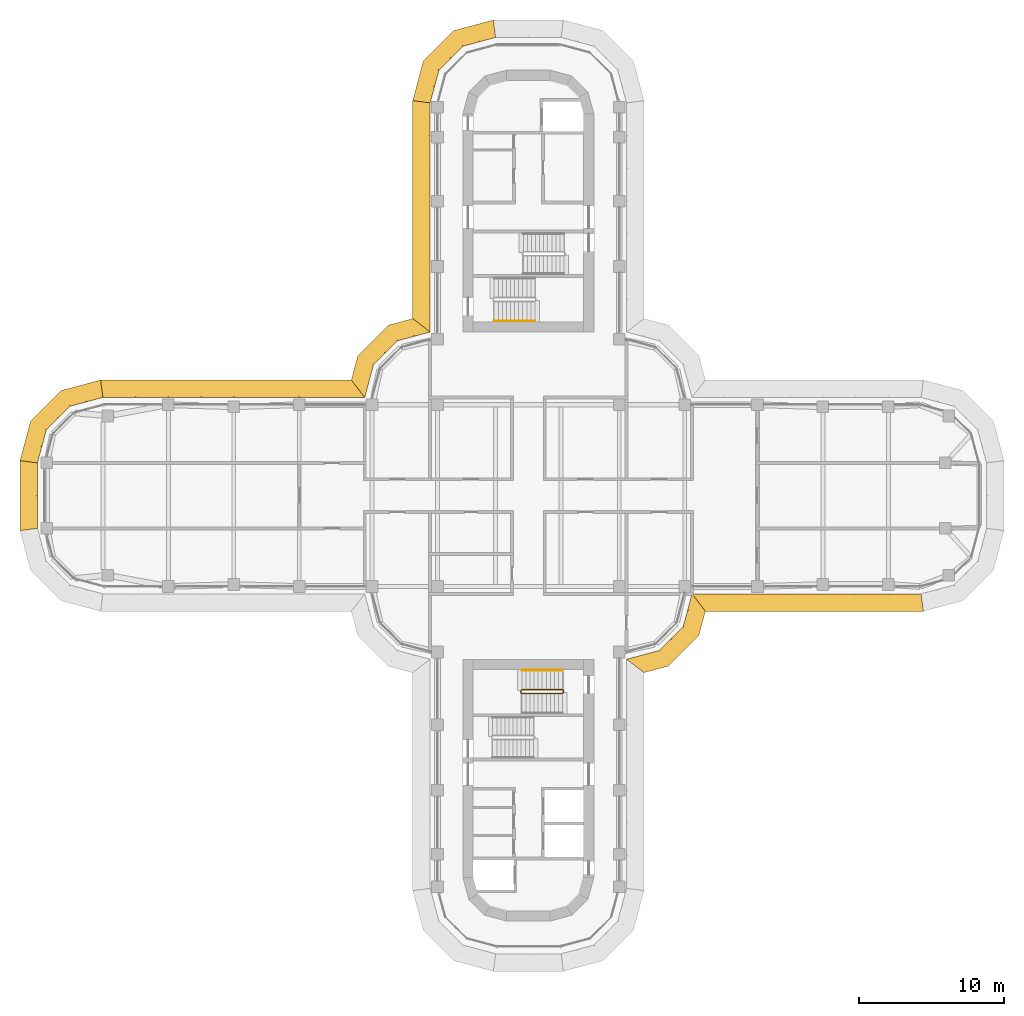
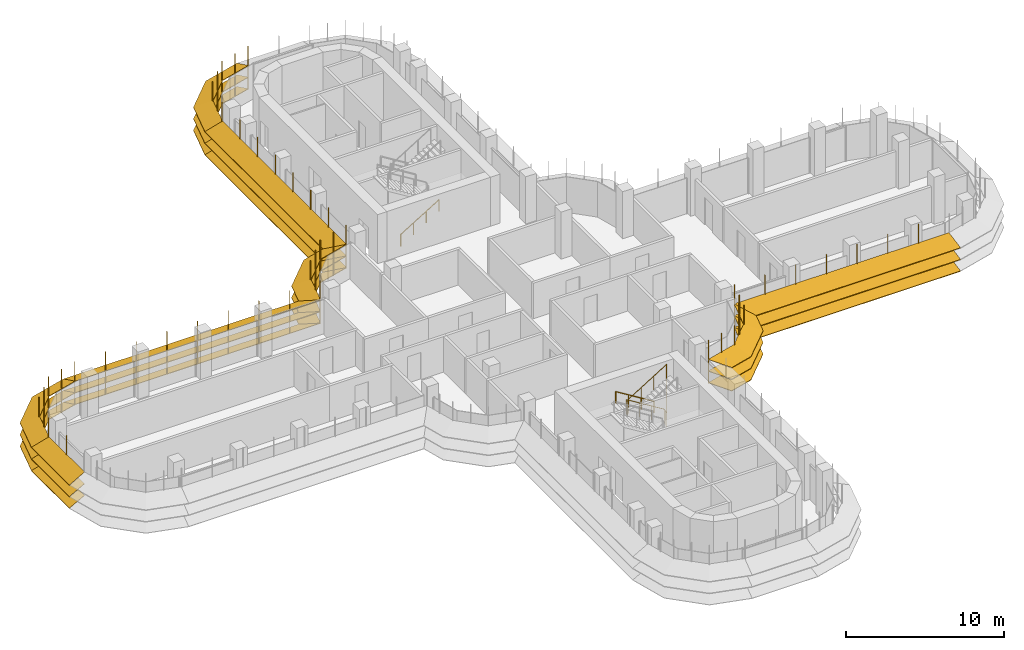
# One storey, part 17 of 19: 8 shading devices, 3 railings.
"""IFC4 building model written with IfcOpenShell, lengths in metres."""

from ifc_helpers import new_model, si_unit, direction, frame, origin, origin_2d, place, context, subcontext, project, spatial, polyline, circle, outline, extrude, faceted_brep, source, transform, mapped, material, type_object, element, save


model = new_model("IFC4")

# Units and contexts
model_context = context("Model", 3, precision=1e-05, world=origin(), true_north=direction((0.0, 1.0)))
body_context = subcontext(model_context, "Body", "Model", "MODEL_VIEW")
ifc_project = project(units=[si_unit("LENGTHUNIT", "METRE"), si_unit("AREAUNIT", "SQUARE_METRE"), si_unit("VOLUMEUNIT", "CUBIC_METRE"), si_unit("PLANEANGLEUNIT", "RADIAN"), si_unit("MASSUNIT", "GRAM", prefix="KILO")], contexts=[model_context])

# Site, building, storey
site_placement = place(None, origin())
site = spatial("IfcSite", under=ifc_project, at=site_placement, CompositionType="ELEMENT")
building_placement = place(site_placement, origin())
building = spatial("IfcBuilding", under=site, at=building_placement, Name="Zarbagh Exchange Tower", CompositionType="ELEMENT")
storey_placement = place(building_placement, frame((0.0, 0.0, 175.199951171875)))
storey = spatial("IfcBuildingStorey", under=building, at=storey_placement, Name="L42", CompositionType="ELEMENT", Elevation=175.199951171875)

# Railings
ifc_material_1 = material(Name="Stainless steel", Category="steel")
railing_type_1 = type_object("IfcRailingType", Name="Stair guard 1100 mm", PredefinedType="GUARDRAIL", material=ifc_material_1)
railing_1_placement = place(storey_placement, frame((-0.5, -13.39990234375, 1.900146484375)))
element("IfcRailing", 1, at=railing_1_placement, inside=storey, type_object=railing_type_1, Name="ST4 stair guard 1", PredefinedType="GUARDRAIL", context=body_context, shape_type="SweptSolid", body=[
    extrude(circle(Radius=0.02392578125, at=origin_2d()), frame((0.0, 0.0, 1.076171875), z_axis=(0.0, -1.0, 0.0), x_axis=(1.0, 0.0, 0.0)), (0.0, 0.0, 1.0), 0.150146484375),
    extrude(circle(Radius=0.02392578125, at=origin_2d()), frame((0.0, -0.150146484375, 1.076171875), z_axis=(0.268277960024, -0.268277960024, 0.925231793839), x_axis=(0.707106781187, 0.707106781187, 0.0)), (0.0, 0.0, 1.0), 0.1865234375),
    extrude(circle(Radius=0.02392578125, at=origin_2d()), frame((0.050048828125, -0.2001953125, 1.24853515625), z_axis=(0.851089632645, 0.0, 0.525020415988), x_axis=(0.0, 1.0, 0.0)), (0.0, 0.0, 1.0), 3.2900390625),
    extrude(circle(Radius=0.02392578125, at=origin_2d()), frame((2.85009765625, -0.2001953125, 2.97607421875), z_axis=(0.013104066473, 0.013168302093, -0.99982742474), x_axis=(-0.708833529934, 0.705375805398, 0.0)), (0.0, 0.0, 1.0), 3.80078125),
    extrude(circle(Radius=0.02392578125, at=origin_2d()), frame((2.89990234375, -0.150146484375, -0.82421875), z_axis=(0.0, 1.0, 0.0), x_axis=(-1.0, 0.0, 0.0)), (0.0, 0.0, 1.0), 0.150146484375),
    extrude(circle(Radius=0.02392578125, at=origin_2d()), frame((2.89990234375, 0.0, -0.82421875), z_axis=(-0.266832911964, 0.266832911964, 0.926067165051), x_axis=(-0.707106781187, -0.707106781187, 0.0)), (0.0, 0.0, 1.0), 0.186767578125),
    extrude(circle(Radius=0.02392578125, at=origin_2d()), frame((2.85009765625, 0.0498046875, -0.6513671875), z_axis=(-0.851089632645, 0.0, 0.525020415988), x_axis=(0.0, -1.0, 0.0)), (0.0, 0.0, 1.0), 3.2900390625),
    extrude(circle(Radius=0.02099609375, at=origin_2d()), origin(), (0.0, 0.0, 1.0), 1.052001953125),
    extrude(circle(Radius=0.02099609375, at=origin_2d()), frame((0.0, -0.150146484375, 0.0)), (0.0, 0.0, 1.0), 1.052001953125),
    extrude(circle(Radius=0.02099609375, at=origin_2d()), frame((0.050048828125, -0.2001953125, 0.172607421875)), (0.0, 0.0, 1.0), 1.052001953125),
    extrude(circle(Radius=0.02099609375, at=origin_2d()), frame((0.9833984375, -0.2001953125, 0.748291015625)), (0.0, 0.0, 1.0), 1.052001953125),
    extrude(circle(Radius=0.02099609375, at=origin_2d()), frame((1.916748046875, -0.2001953125, 1.32421875)), (0.0, 0.0, 1.0), 1.052001953125),
    extrude(circle(Radius=0.02099609375, at=origin_2d()), frame((2.85009765625, -0.2001953125, 1.89990234375)), (0.0, 0.0, 1.0), 1.052001953125),
    extrude(circle(Radius=0.02099609375, at=origin_2d()), frame((2.862548828125, -0.187744140625, 0.949951171875)), (0.0, 0.0, 1.0), 1.052001953125),
    extrude(circle(Radius=0.02099609375, at=origin_2d()), frame((2.875, -0.17529296875, 0.0)), (0.0, 0.0, 1.0), 1.052001953125),
    extrude(circle(Radius=0.02099609375, at=origin_2d()), frame((2.887451171875, -0.16259765625, -0.9501953125)), (0.0, 0.0, 1.0), 1.052001953125),
    extrude(circle(Radius=0.02099609375, at=origin_2d()), frame((2.89990234375, -0.150146484375, -1.900146484375)), (0.0, 0.0, 1.0), 1.052001953125),
    extrude(circle(Radius=0.02099609375, at=origin_2d()), frame((2.89990234375, 0.0, -1.900146484375)), (0.0, 0.0, 1.0), 1.052001953125),
    extrude(circle(Radius=0.02099609375, at=origin_2d()), frame((2.85009765625, 0.0498046875, -1.727294921875)), (0.0, 0.0, 1.0), 1.052001953125),
    extrude(circle(Radius=0.02099609375, at=origin_2d()), frame((1.916748046875, 0.0498046875, -1.151611328125)), (0.0, 0.0, 1.0), 1.052001953125),
    extrude(circle(Radius=0.02099609375, at=origin_2d()), frame((0.9833984375, 0.0498046875, -0.57568359375)), (0.0, 0.0, 1.0), 1.052001953125),
    extrude(circle(Radius=0.02099609375, at=origin_2d()), frame((0.050048828125, 0.0498046875, 0.0)), (0.0, 0.0, 1.0), 1.052001953125),
])
railing_type_2 = type_object("IfcRailingType", Name="Stair handrail 900 mm", PredefinedType="HANDRAIL", material=ifc_material_1)
railing_2_placement = place(storey_placement, frame((-2.35009765625, 12.0, 0.1728515625)))
element("IfcRailing", 2, at=railing_2_placement, inside=storey, type_object=railing_type_2, Name="ST2 stair handrail 1", PredefinedType="HANDRAIL", context=body_context, shape_type="SweptSolid", body=[
    extrude(circle(Radius=0.02392578125, at=origin_2d()), frame((0.0, 0.0, 0.8759765625), z_axis=(0.851089632645, 0.0, 0.525020415988), x_axis=(0.0, 1.0, 0.0)), (0.0, 0.0, 1.0), 3.2900390625),
    extrude(circle(Radius=0.02099609375, at=origin_2d()), origin(), (0.0, 0.0, 1.0), 0.851806640625),
    extrude(circle(Radius=0.02099609375, at=origin_2d()), frame((0.933349609375, 0.0, 0.57568359375)), (0.0, 0.0, 1.0), 0.851806640625),
    extrude(circle(Radius=0.02099609375, at=origin_2d()), frame((1.86669921875, 0.0, 1.151611328125)), (0.0, 0.0, 1.0), 0.851806640625),
    extrude(circle(Radius=0.02099609375, at=origin_2d()), frame((2.800048828125, 0.0, 1.727294921875)), (0.0, 0.0, 1.0), 0.851806640625),
])
railing_3_placement = place(storey_placement, frame((2.35009765625, -12.0, 0.1728515625)))
element("IfcRailing", 3, at=railing_3_placement, inside=storey, type_object=railing_type_2, Name="ST4 stair handrail 1", PredefinedType="HANDRAIL", context=body_context, shape_type="SweptSolid", body=[
    extrude(circle(Radius=0.02392578125, at=origin_2d()), frame((0.0, 0.0, 0.8759765625), z_axis=(-0.851089632645, 0.0, 0.525020415988), x_axis=(0.0, -1.0, 0.0)), (0.0, 0.0, 1.0), 3.2900390625),
    extrude(circle(Radius=0.02099609375, at=origin_2d()), origin(), (0.0, 0.0, 1.0), 0.851806640625),
    extrude(circle(Radius=0.02099609375, at=origin_2d()), frame((-0.933349609375, 0.0, 0.57568359375)), (0.0, 0.0, 1.0), 0.851806640625),
    extrude(circle(Radius=0.02099609375, at=origin_2d()), frame((-1.86669921875, 0.0, 1.151611328125)), (0.0, 0.0, 1.0), 0.851806640625),
    extrude(circle(Radius=0.02099609375, at=origin_2d()), frame((-2.800048828125, 0.0, 1.727294921875)), (0.0, 0.0, 1.0), 0.851806640625),
])

# Shading devices
ifc_material_2 = material(Name="Anodised aluminium blades and brackets", Category="aluminium")
shading_device_type = type_object("IfcShadingDeviceType", Name="SUNSHADE louvre band, 22.5 degree blades", PredefinedType="JALOUSIE", material=ifc_material_2)
shared_shape_1 = source(origin(), body_context, "Body", "Brep", [
    faceted_brep([(0.0, 0.0, 0.0), (0.0, 0.0, -0.043212890625), (-0.157958984375, -1.199951171875, -0.540283203125), (-0.157958984375, -1.199951171875, -0.4970703125), (2.65087890625, -1.199951171875, -0.4970703125), (2.65087890625, -1.199951171875, -0.540283203125), (2.329345703125, 0.0, -0.043212890625), (2.329345703125, 0.0, 0.0)], [[[0, 1, 2, 3]], [[4, 5, 6, 7]], [[0, 7, 6, 1]], [[1, 6, 5, 2]], [[2, 5, 4, 3]], [[3, 4, 7, 0]]]),
])
shared_shape_2 = source(origin(), body_context, "Body", "Brep", [
    faceted_brep([(0.0, 0.0, 0.0), (0.0, 0.0, -0.043212890625), (-0.321533203125, -1.199951171875, -0.540283203125), (-0.321533203125, -1.199951171875, -0.4970703125), (2.65087890625, -1.199951171875, -0.4970703125), (2.65087890625, -1.199951171875, -0.540283203125), (2.329345703125, 0.0, -0.043212890625), (2.329345703125, 0.0, 0.0)], [[[0, 1, 2, 3]], [[4, 5, 6, 7]], [[0, 7, 6, 1]], [[1, 6, 5, 2]], [[2, 5, 4, 3]], [[3, 4, 7, 0]]]),
])
shared_shape_3 = source(origin(), body_context, "Body", "Brep", [
    faceted_brep([(0.0, 0.0, 0.0), (0.0, 0.0, -0.043212890625), (-0.321533203125, -1.199951171875, -0.540283203125), (-0.321533203125, -1.199951171875, -0.4970703125), (2.4873046875, -1.199951171875, -0.4970703125), (2.4873046875, -1.199951171875, -0.540283203125), (2.329345703125, 0.0, -0.043212890625), (2.329345703125, 0.0, 0.0)], [[[0, 1, 2, 3]], [[4, 5, 6, 7]], [[0, 7, 6, 1]], [[1, 6, 5, 2]], [[2, 5, 4, 3]], [[3, 4, 7, 0]]]),
])
shared_shape_4 = source(origin(), body_context, "Body", "SweptSolid", [
    extrude(outline(polyline([(0.0, -0.012451171875), (0.06005859375, -0.012451171875), (0.06005859375, 0.012451171875), (0.0, 0.012451171875), (0.0, -0.012451171875)])), origin(), (0.0, 0.0, 1.0), 3.353271484375),
])
placement = place(storey_placement, origin())
element("IfcShadingDevice", 4, at=placement, inside=storey, type_object=shading_device_type, Name="SS28 sunshade band", PredefinedType="JALOUSIE", context=body_context, shape_type="MappedRepresentation", body=[
    mapped(shared_shape_1, transform((-2.25, 31.5, 2.300048828125), x_axis=(-0.965924289636, -0.258824779902, 0.0), y_axis=(0.258824779902, -0.965924289636, 0.0), z_axis=(0.0, 0.0, 1.0))),
    mapped(shared_shape_1, transform((-2.25, 31.5, 1.400146484375), x_axis=(-0.965924289636, -0.258824779902, 0.0), y_axis=(0.258824779902, -0.965924289636, 0.0), z_axis=(0.0, 0.0, 1.0))),
    mapped(shared_shape_1, transform((-2.25, 31.5, 0.5), x_axis=(-0.965924289636, -0.258824779902, 0.0), y_axis=(0.258824779902, -0.965924289636, 0.0), z_axis=(0.0, 0.0, 1.0))),
    mapped(shared_shape_2, transform((-4.5, 30.897216796875, 2.300048828125), x_axis=(-0.707106781187, -0.707106781187, 0.0), y_axis=(0.707106781187, -0.707106781187, 0.0), z_axis=(0.0, 0.0, 1.0))),
    mapped(shared_shape_2, transform((-4.5, 30.897216796875, 1.400146484375), x_axis=(-0.707106781187, -0.707106781187, 0.0), y_axis=(0.707106781187, -0.707106781187, 0.0), z_axis=(0.0, 0.0, 1.0))),
    mapped(shared_shape_2, transform((-4.5, 30.897216796875, 0.5), x_axis=(-0.707106781187, -0.707106781187, 0.0), y_axis=(0.707106781187, -0.707106781187, 0.0), z_axis=(0.0, 0.0, 1.0))),
    mapped(shared_shape_3, transform((-6.147216796875, 29.25, 2.300048828125), x_axis=(-0.258824779902, -0.965924289636, 0.0), y_axis=(0.965924289636, -0.258824779902, 0.0), z_axis=(0.0, 0.0, 1.0))),
    mapped(shared_shape_3, transform((-6.147216796875, 29.25, 1.400146484375), x_axis=(-0.258824779902, -0.965924289636, 0.0), y_axis=(0.965924289636, -0.258824779902, 0.0), z_axis=(0.0, 0.0, 1.0))),
    mapped(shared_shape_3, transform((-6.147216796875, 29.25, 0.5), x_axis=(-0.258824779902, -0.965924289636, 0.0), y_axis=(0.965924289636, -0.258824779902, 0.0), z_axis=(0.0, 0.0, 1.0))),
    mapped(shared_shape_4, transform((-2.25, 31.5, 0.4267578125), x_axis=(-0.130529263012, 0.991444457092, 0.0), y_axis=(-0.991444457092, -0.130529263012, 0.0), z_axis=(0.0, 0.0, 1.0))),
    mapped(shared_shape_4, transform((-3.375, 31.198486328125, 0.4267578125), x_axis=(-0.258825058029, 0.96592421511, 0.0), y_axis=(-0.96592421511, -0.258825058029, 0.0), z_axis=(0.0, 0.0, 1.0))),
    mapped(shared_shape_4, transform((-4.5, 30.897216796875, 0.4267578125), x_axis=(-0.50000275701, 0.866023812018, 0.0), y_axis=(-0.866023812018, -0.50000275701, 0.0), z_axis=(0.0, 0.0, 1.0))),
    mapped(shared_shape_4, transform((-5.323486328125, 30.073486328125, 0.4267578125), x_axis=(-0.707106781187, 0.707106781187, 0.0), y_axis=(-0.707106781187, -0.707106781187, 0.0), z_axis=(0.0, 0.0, 1.0))),
    mapped(shared_shape_4, transform((-6.147216796875, 29.25, 0.4267578125), x_axis=(-0.866023812018, 0.50000275701, 0.0), y_axis=(-0.50000275701, -0.866023812018, 0.0), z_axis=(0.0, 0.0, 1.0))),
    mapped(shared_shape_4, transform((-6.448486328125, 28.125, 0.4267578125), x_axis=(-0.96592421511, 0.258825058029, 0.0), y_axis=(-0.258825058029, -0.96592421511, 0.0), z_axis=(0.0, 0.0, 1.0))),
])
element("IfcShadingDevice", 5, at=placement, inside=storey, type_object=shading_device_type, Name="SS17 sunshade band", PredefinedType="JALOUSIE", context=body_context, shape_type="MappedRepresentation", body=[
    mapped(shared_shape_1, transform((-29.25, 6.75, 2.300048828125), x_axis=(-0.965924289636, -0.258824779902, 0.0), y_axis=(0.258824779902, -0.965924289636, 0.0), z_axis=(0.0, 0.0, 1.0))),
    mapped(shared_shape_1, transform((-29.25, 6.75, 1.400146484375), x_axis=(-0.965924289636, -0.258824779902, 0.0), y_axis=(0.258824779902, -0.965924289636, 0.0), z_axis=(0.0, 0.0, 1.0))),
    mapped(shared_shape_1, transform((-29.25, 6.75, 0.5), x_axis=(-0.965924289636, -0.258824779902, 0.0), y_axis=(0.258824779902, -0.965924289636, 0.0), z_axis=(0.0, 0.0, 1.0))),
    mapped(shared_shape_2, transform((-31.5, 6.147216796875, 2.300048828125), x_axis=(-0.707106781187, -0.707106781187, 0.0), y_axis=(0.707106781187, -0.707106781187, 0.0), z_axis=(0.0, 0.0, 1.0))),
    mapped(shared_shape_2, transform((-31.5, 6.147216796875, 1.400146484375), x_axis=(-0.707106781187, -0.707106781187, 0.0), y_axis=(0.707106781187, -0.707106781187, 0.0), z_axis=(0.0, 0.0, 1.0))),
    mapped(shared_shape_2, transform((-31.5, 6.147216796875, 0.5), x_axis=(-0.707106781187, -0.707106781187, 0.0), y_axis=(0.707106781187, -0.707106781187, 0.0), z_axis=(0.0, 0.0, 1.0))),
    mapped(shared_shape_3, transform((-33.147216796875, 4.5, 2.300048828125), x_axis=(-0.258824779902, -0.965924289636, 0.0), y_axis=(0.965924289636, -0.258824779902, 0.0), z_axis=(0.0, 0.0, 1.0))),
    mapped(shared_shape_3, transform((-33.147216796875, 4.5, 1.400146484375), x_axis=(-0.258824779902, -0.965924289636, 0.0), y_axis=(0.965924289636, -0.258824779902, 0.0), z_axis=(0.0, 0.0, 1.0))),
    mapped(shared_shape_3, transform((-33.147216796875, 4.5, 0.5), x_axis=(-0.258824779902, -0.965924289636, 0.0), y_axis=(0.965924289636, -0.258824779902, 0.0), z_axis=(0.0, 0.0, 1.0))),
    mapped(shared_shape_4, transform((-29.25, 6.75, 0.4267578125), x_axis=(-0.130529263012, 0.991444457092, 0.0), y_axis=(-0.991444457092, -0.130529263012, 0.0), z_axis=(0.0, 0.0, 1.0))),
    mapped(shared_shape_4, transform((-30.375, 6.448486328125, 0.4267578125), x_axis=(-0.258825058029, 0.96592421511, 0.0), y_axis=(-0.96592421511, -0.258825058029, 0.0), z_axis=(0.0, 0.0, 1.0))),
    mapped(shared_shape_4, transform((-31.5, 6.147216796875, 0.4267578125), x_axis=(-0.50000275701, 0.866023812018, 0.0), y_axis=(-0.866023812018, -0.50000275701, 0.0), z_axis=(0.0, 0.0, 1.0))),
    mapped(shared_shape_4, transform((-32.323486328125, 5.323486328125, 0.4267578125), x_axis=(-0.707106781187, 0.707106781187, 0.0), y_axis=(-0.707106781187, -0.707106781187, 0.0), z_axis=(0.0, 0.0, 1.0))),
    mapped(shared_shape_4, transform((-33.147216796875, 4.5, 0.4267578125), x_axis=(-0.866023812018, 0.50000275701, 0.0), y_axis=(-0.50000275701, -0.866023812018, 0.0), z_axis=(0.0, 0.0, 1.0))),
    mapped(shared_shape_4, transform((-33.448486328125, 3.375, 0.4267578125), x_axis=(-0.96592421511, 0.258825058029, 0.0), y_axis=(-0.258825058029, -0.96592421511, 0.0), z_axis=(0.0, 0.0, 1.0))),
])
shared_shape_5 = source(origin(), body_context, "Body", "Brep", [
    faceted_brep([(0.0, 0.0, 0.0), (0.0, 0.0, -0.043212890625), (0.9208984375, -1.199951171875, -0.540283203125), (0.9208984375, -1.199951171875, -0.4970703125), (2.65087890625, -1.199951171875, -0.4970703125), (2.65087890625, -1.199951171875, -0.540283203125), (2.329345703125, 0.0, -0.043212890625), (2.329345703125, 0.0, 0.0)], [[[0, 1, 2, 3]], [[4, 5, 6, 7]], [[0, 7, 6, 1]], [[1, 6, 5, 2]], [[2, 5, 4, 3]], [[3, 4, 7, 0]]]),
])
shared_shape_6 = source(origin(), body_context, "Body", "Brep", [
    faceted_brep([(0.0, 0.0, 0.0), (0.0, 0.0, -0.043212890625), (-0.321533203125, -1.199951171875, -0.540283203125), (-0.321533203125, -1.199951171875, -0.4970703125), (1.40869140625, -1.199951171875, -0.4970703125), (1.40869140625, -1.199951171875, -0.540283203125), (2.329345703125, 0.0, -0.043212890625), (2.329345703125, 0.0, 0.0)], [[[0, 1, 2, 3]], [[4, 5, 6, 7]], [[0, 7, 6, 1]], [[1, 6, 5, 2]], [[2, 5, 4, 3]], [[3, 4, 7, 0]]]),
])
element("IfcShadingDevice", 6, at=placement, inside=storey, type_object=shading_device_type, Name="SS03 sunshade band", PredefinedType="JALOUSIE", context=body_context, shape_type="MappedRepresentation", body=[
    mapped(shared_shape_5, transform((6.75, -11.25, 2.300048828125), x_axis=(0.965924289636, 0.258824779902, 0.0), y_axis=(-0.258824779902, 0.965924289636, 0.0), z_axis=(0.0, 0.0, 1.0))),
    mapped(shared_shape_5, transform((6.75, -11.25, 1.400146484375), x_axis=(0.965924289636, 0.258824779902, 0.0), y_axis=(-0.258824779902, 0.965924289636, 0.0), z_axis=(0.0, 0.0, 1.0))),
    mapped(shared_shape_5, transform((6.75, -11.25, 0.5), x_axis=(0.965924289636, 0.258824779902, 0.0), y_axis=(-0.258824779902, 0.965924289636, 0.0), z_axis=(0.0, 0.0, 1.0))),
    mapped(shared_shape_2, transform((9.0, -10.647216796875, 2.300048828125), x_axis=(0.707106781187, 0.707106781187, 0.0), y_axis=(-0.707106781187, 0.707106781187, 0.0), z_axis=(0.0, 0.0, 1.0))),
    mapped(shared_shape_2, transform((9.0, -10.647216796875, 1.400146484375), x_axis=(0.707106781187, 0.707106781187, 0.0), y_axis=(-0.707106781187, 0.707106781187, 0.0), z_axis=(0.0, 0.0, 1.0))),
    mapped(shared_shape_2, transform((9.0, -10.647216796875, 0.5), x_axis=(0.707106781187, 0.707106781187, 0.0), y_axis=(-0.707106781187, 0.707106781187, 0.0), z_axis=(0.0, 0.0, 1.0))),
    mapped(shared_shape_6, transform((10.647216796875, -9.0, 2.300048828125), x_axis=(0.258824779902, 0.965924289636, 0.0), y_axis=(-0.965924289636, 0.258824779902, 0.0), z_axis=(0.0, 0.0, 1.0))),
    mapped(shared_shape_6, transform((10.647216796875, -9.0, 1.400146484375), x_axis=(0.258824779902, 0.965924289636, 0.0), y_axis=(-0.965924289636, 0.258824779902, 0.0), z_axis=(0.0, 0.0, 1.0))),
    mapped(shared_shape_6, transform((10.647216796875, -9.0, 0.5), x_axis=(0.258824779902, 0.965924289636, 0.0), y_axis=(-0.965924289636, 0.258824779902, 0.0), z_axis=(0.0, 0.0, 1.0))),
    mapped(shared_shape_4, transform((6.75, -11.25, 0.4267578125), x_axis=(0.793355287, -0.608758892, 0.0), y_axis=(0.608758892, 0.793355287, 0.0), z_axis=(0.0, 0.0, 1.0))),
    mapped(shared_shape_4, transform((7.875, -10.948486328125, 0.4267578125), x_axis=(0.258825058029, -0.96592421511, 0.0), y_axis=(0.96592421511, 0.258825058029, 0.0), z_axis=(0.0, 0.0, 1.0))),
    mapped(shared_shape_4, transform((9.0, -10.647216796875, 0.4267578125), x_axis=(0.50000275701, -0.866023812018, 0.0), y_axis=(0.866023812018, 0.50000275701, 0.0), z_axis=(0.0, 0.0, 1.0))),
    mapped(shared_shape_4, transform((9.823486328125, -9.823486328125, 0.4267578125), x_axis=(0.707106781187, -0.707106781187, 0.0), y_axis=(0.707106781187, 0.707106781187, 0.0), z_axis=(0.0, 0.0, 1.0))),
    mapped(shared_shape_4, transform((10.647216796875, -9.0, 0.4267578125), x_axis=(0.866023812018, -0.50000275701, 0.0), y_axis=(0.50000275701, 0.866023812018, 0.0), z_axis=(0.0, 0.0, 1.0))),
    mapped(shared_shape_4, transform((10.948486328125, -7.875, 0.4267578125), x_axis=(0.96592421511, -0.258825058029, 0.0), y_axis=(0.258825058029, 0.96592421511, 0.0), z_axis=(0.0, 0.0, 1.0))),
])
element("IfcShadingDevice", 7, at=placement, inside=storey, type_object=shading_device_type, Name="SS15 sunshade band", PredefinedType="JALOUSIE", context=body_context, shape_type="MappedRepresentation", body=[
    mapped(shared_shape_5, transform((-6.75, 11.25, 2.300048828125), x_axis=(-0.965924289636, -0.258824779902, 0.0), y_axis=(0.258824779902, -0.965924289636, 0.0), z_axis=(0.0, 0.0, 1.0))),
    mapped(shared_shape_5, transform((-6.75, 11.25, 1.400146484375), x_axis=(-0.965924289636, -0.258824779902, 0.0), y_axis=(0.258824779902, -0.965924289636, 0.0), z_axis=(0.0, 0.0, 1.0))),
    mapped(shared_shape_5, transform((-6.75, 11.25, 0.5), x_axis=(-0.965924289636, -0.258824779902, 0.0), y_axis=(0.258824779902, -0.965924289636, 0.0), z_axis=(0.0, 0.0, 1.0))),
    mapped(shared_shape_2, transform((-9.0, 10.647216796875, 2.300048828125), x_axis=(-0.707106781187, -0.707106781187, 0.0), y_axis=(0.707106781187, -0.707106781187, 0.0), z_axis=(0.0, 0.0, 1.0))),
    mapped(shared_shape_2, transform((-9.0, 10.647216796875, 1.400146484375), x_axis=(-0.707106781187, -0.707106781187, 0.0), y_axis=(0.707106781187, -0.707106781187, 0.0), z_axis=(0.0, 0.0, 1.0))),
    mapped(shared_shape_2, transform((-9.0, 10.647216796875, 0.5), x_axis=(-0.707106781187, -0.707106781187, 0.0), y_axis=(0.707106781187, -0.707106781187, 0.0), z_axis=(0.0, 0.0, 1.0))),
    mapped(shared_shape_6, transform((-10.647216796875, 9.0, 2.300048828125), x_axis=(-0.258824779902, -0.965924289636, 0.0), y_axis=(0.965924289636, -0.258824779902, 0.0), z_axis=(0.0, 0.0, 1.0))),
    mapped(shared_shape_6, transform((-10.647216796875, 9.0, 1.400146484375), x_axis=(-0.258824779902, -0.965924289636, 0.0), y_axis=(0.965924289636, -0.258824779902, 0.0), z_axis=(0.0, 0.0, 1.0))),
    mapped(shared_shape_6, transform((-10.647216796875, 9.0, 0.5), x_axis=(-0.258824779902, -0.965924289636, 0.0), y_axis=(0.965924289636, -0.258824779902, 0.0), z_axis=(0.0, 0.0, 1.0))),
    mapped(shared_shape_4, transform((-6.75, 11.25, 0.4267578125), x_axis=(-0.793355287, 0.608758892, 0.0), y_axis=(-0.608758892, -0.793355287, 0.0), z_axis=(0.0, 0.0, 1.0))),
    mapped(shared_shape_4, transform((-7.875, 10.948486328125, 0.4267578125), x_axis=(-0.258825058029, 0.96592421511, 0.0), y_axis=(-0.96592421511, -0.258825058029, 0.0), z_axis=(0.0, 0.0, 1.0))),
    mapped(shared_shape_4, transform((-9.0, 10.647216796875, 0.4267578125), x_axis=(-0.50000275701, 0.866023812018, 0.0), y_axis=(-0.866023812018, -0.50000275701, 0.0), z_axis=(0.0, 0.0, 1.0))),
    mapped(shared_shape_4, transform((-9.823486328125, 9.823486328125, 0.4267578125), x_axis=(-0.707106781187, 0.707106781187, 0.0), y_axis=(-0.707106781187, -0.707106781187, 0.0), z_axis=(0.0, 0.0, 1.0))),
    mapped(shared_shape_4, transform((-10.647216796875, 9.0, 0.4267578125), x_axis=(-0.866023812018, 0.50000275701, 0.0), y_axis=(-0.50000275701, -0.866023812018, 0.0), z_axis=(0.0, 0.0, 1.0))),
    mapped(shared_shape_4, transform((-10.948486328125, 7.875, 0.4267578125), x_axis=(-0.96592421511, 0.258825058029, 0.0), y_axis=(-0.258825058029, -0.96592421511, 0.0), z_axis=(0.0, 0.0, 1.0))),
])
shared_shape_7 = source(origin(), body_context, "Body", "Brep", [
    faceted_brep([(0.0, 0.0, 0.0), (0.0, 0.0, -0.043212890625), (0.9208984375, -1.199951171875, -0.540283203125), (0.9208984375, -1.199951171875, -0.4970703125), (15.907958984375, -1.199951171875, -0.4970703125), (15.907958984375, -1.199951171875, -0.540283203125), (15.75, 0.0, -0.043212890625), (15.75, 0.0, 0.0)], [[[0, 1, 2, 3]], [[4, 5, 6, 7]], [[0, 7, 6, 1]], [[1, 6, 5, 2]], [[2, 5, 4, 3]], [[3, 4, 7, 0]]]),
])
element("IfcShadingDevice", 8, at=placement, inside=storey, type_object=shading_device_type, Name="SS30 sunshade band", PredefinedType="JALOUSIE", context=body_context, shape_type="MappedRepresentation", body=[
    mapped(shared_shape_7, transform((11.25, -6.75, 2.300048828125), x_axis=(1.0, 0.0, 0.0), y_axis=(0.0, 1.0, 0.0), z_axis=(0.0, 0.0, 1.0))),
    mapped(shared_shape_7, transform((11.25, -6.75, 1.400146484375), x_axis=(1.0, 0.0, 0.0), y_axis=(0.0, 1.0, 0.0), z_axis=(0.0, 0.0, 1.0))),
    mapped(shared_shape_7, transform((11.25, -6.75, 0.5), x_axis=(1.0, 0.0, 0.0), y_axis=(0.0, 1.0, 0.0), z_axis=(0.0, 0.0, 1.0))),
    mapped(shared_shape_4, transform((11.25, -6.75, 0.4267578125), x_axis=(0.608758892, -0.793355287, 0.0), y_axis=(0.793355287, 0.608758892, 0.0), z_axis=(0.0, 0.0, 1.0))),
    mapped(shared_shape_4, transform((13.5, -6.75, 0.4267578125), x_axis=(0.0, -1.0, 0.0), y_axis=(1.0, 0.0, 0.0), z_axis=(0.0, 0.0, 1.0))),
    mapped(shared_shape_4, transform((15.75, -6.75, 0.4267578125), x_axis=(0.0, -1.0, 0.0), y_axis=(1.0, 0.0, 0.0), z_axis=(0.0, 0.0, 1.0))),
    mapped(shared_shape_4, transform((18.0, -6.75, 0.4267578125), x_axis=(0.0, -1.0, 0.0), y_axis=(1.0, 0.0, 0.0), z_axis=(0.0, 0.0, 1.0))),
    mapped(shared_shape_4, transform((20.25, -6.75, 0.4267578125), x_axis=(0.0, -1.0, 0.0), y_axis=(1.0, 0.0, 0.0), z_axis=(0.0, 0.0, 1.0))),
    mapped(shared_shape_4, transform((22.5, -6.75, 0.4267578125), x_axis=(0.0, -1.0, 0.0), y_axis=(1.0, 0.0, 0.0), z_axis=(0.0, 0.0, 1.0))),
    mapped(shared_shape_4, transform((24.75, -6.75, 0.4267578125), x_axis=(0.0, -1.0, 0.0), y_axis=(1.0, 0.0, 0.0), z_axis=(0.0, 0.0, 1.0))),
])
shared_shape_8 = source(origin(), body_context, "Body", "Brep", [
    faceted_brep([(0.0, 0.0, 0.0), (0.0, 0.0, -0.043212890625), (-0.157958984375, -1.199951171875, -0.540283203125), (-0.157958984375, -1.199951171875, -0.4970703125), (14.8291015625, -1.199951171875, -0.4970703125), (14.8291015625, -1.199951171875, -0.540283203125), (15.75, 0.0, -0.043212890625), (15.75, 0.0, 0.0)], [[[0, 1, 2, 3]], [[4, 5, 6, 7]], [[0, 7, 6, 1]], [[1, 6, 5, 2]], [[2, 5, 4, 3]], [[3, 4, 7, 0]]]),
])
element("IfcShadingDevice", 9, at=placement, inside=storey, type_object=shading_device_type, Name="SS29 sunshade band", PredefinedType="JALOUSIE", context=body_context, shape_type="MappedRepresentation", body=[
    mapped(shared_shape_8, transform((-6.75, 27.0, 2.300048828125), x_axis=(0.0, -1.0, 0.0), y_axis=(1.0, 0.0, 0.0), z_axis=(0.0, 0.0, 1.0))),
    mapped(shared_shape_8, transform((-6.75, 27.0, 1.400146484375), x_axis=(0.0, -1.0, 0.0), y_axis=(1.0, 0.0, 0.0), z_axis=(0.0, 0.0, 1.0))),
    mapped(shared_shape_8, transform((-6.75, 27.0, 0.5), x_axis=(0.0, -1.0, 0.0), y_axis=(1.0, 0.0, 0.0), z_axis=(0.0, 0.0, 1.0))),
    mapped(shared_shape_4, transform((-6.75, 27.0, 0.4267578125), x_axis=(-0.991444457092, 0.130529263012, 0.0), y_axis=(-0.130529263012, -0.991444457092, 0.0), z_axis=(0.0, 0.0, 1.0))),
    mapped(shared_shape_4, transform((-6.75, 24.75, 0.4267578125), x_axis=(-1.0, 0.0, 0.0), y_axis=(0.0, -1.0, 0.0), z_axis=(0.0, 0.0, 1.0))),
    mapped(shared_shape_4, transform((-6.75, 22.5, 0.4267578125), x_axis=(-1.0, 0.0, 0.0), y_axis=(0.0, -1.0, 0.0), z_axis=(0.0, 0.0, 1.0))),
    mapped(shared_shape_4, transform((-6.75, 20.25, 0.4267578125), x_axis=(-1.0, 0.0, 0.0), y_axis=(0.0, -1.0, 0.0), z_axis=(0.0, 0.0, 1.0))),
    mapped(shared_shape_4, transform((-6.75, 18.0, 0.4267578125), x_axis=(-1.0, 0.0, 0.0), y_axis=(0.0, -1.0, 0.0), z_axis=(0.0, 0.0, 1.0))),
    mapped(shared_shape_4, transform((-6.75, 15.75, 0.4267578125), x_axis=(-1.0, 0.0, 0.0), y_axis=(0.0, -1.0, 0.0), z_axis=(0.0, 0.0, 1.0))),
    mapped(shared_shape_4, transform((-6.75, 13.5, 0.4267578125), x_axis=(-1.0, 0.0, 0.0), y_axis=(0.0, -1.0, 0.0), z_axis=(0.0, 0.0, 1.0))),
])
shared_shape_9 = source(origin(), body_context, "Body", "Brep", [
    faceted_brep([(0.0, 0.0, 0.0), (0.0, 0.0, -0.043212890625), (0.9208984375, -1.199951171875, -0.540283203125), (0.9208984375, -1.199951171875, -0.4970703125), (18.157958984375, -1.199951171875, -0.4970703125), (18.157958984375, -1.199951171875, -0.540283203125), (18.0, 0.0, -0.043212890625), (18.0, 0.0, 0.0)], [[[0, 1, 2, 3]], [[4, 5, 6, 7]], [[0, 7, 6, 1]], [[1, 6, 5, 2]], [[2, 5, 4, 3]], [[3, 4, 7, 0]]]),
])
element("IfcShadingDevice", 10, at=placement, inside=storey, type_object=shading_device_type, Name="SS16 sunshade band", PredefinedType="JALOUSIE", context=body_context, shape_type="MappedRepresentation", body=[
    mapped(shared_shape_9, transform((-11.25, 6.75, 2.300048828125), x_axis=(-1.0, 0.0, 0.0), y_axis=(0.0, -1.0, 0.0), z_axis=(0.0, 0.0, 1.0))),
    mapped(shared_shape_9, transform((-11.25, 6.75, 1.400146484375), x_axis=(-1.0, 0.0, 0.0), y_axis=(0.0, -1.0, 0.0), z_axis=(0.0, 0.0, 1.0))),
    mapped(shared_shape_9, transform((-11.25, 6.75, 0.5), x_axis=(-1.0, 0.0, 0.0), y_axis=(0.0, -1.0, 0.0), z_axis=(0.0, 0.0, 1.0))),
    mapped(shared_shape_4, transform((-11.25, 6.75, 0.4267578125), x_axis=(-0.608758892, 0.793355287, 0.0), y_axis=(-0.793355287, -0.608758892, 0.0), z_axis=(0.0, 0.0, 1.0))),
    mapped(shared_shape_4, transform((-13.5, 6.75, 0.4267578125), x_axis=(0.0, 1.0, 0.0), y_axis=(-1.0, 0.0, 0.0), z_axis=(0.0, 0.0, 1.0))),
    mapped(shared_shape_4, transform((-15.75, 6.75, 0.4267578125), x_axis=(0.0, 1.0, 0.0), y_axis=(-1.0, 0.0, 0.0), z_axis=(0.0, 0.0, 1.0))),
    mapped(shared_shape_4, transform((-18.0, 6.75, 0.4267578125), x_axis=(0.0, 1.0, 0.0), y_axis=(-1.0, 0.0, 0.0), z_axis=(0.0, 0.0, 1.0))),
    mapped(shared_shape_4, transform((-20.25, 6.75, 0.4267578125), x_axis=(0.0, 1.0, 0.0), y_axis=(-1.0, 0.0, 0.0), z_axis=(0.0, 0.0, 1.0))),
    mapped(shared_shape_4, transform((-22.5, 6.75, 0.4267578125), x_axis=(0.0, 1.0, 0.0), y_axis=(-1.0, 0.0, 0.0), z_axis=(0.0, 0.0, 1.0))),
    mapped(shared_shape_4, transform((-24.75, 6.75, 0.4267578125), x_axis=(0.0, 1.0, 0.0), y_axis=(-1.0, 0.0, 0.0), z_axis=(0.0, 0.0, 1.0))),
    mapped(shared_shape_4, transform((-27.0, 6.75, 0.4267578125), x_axis=(0.0, 1.0, 0.0), y_axis=(-1.0, 0.0, 0.0), z_axis=(0.0, 0.0, 1.0))),
])
shared_shape_10 = source(origin(), body_context, "Body", "Brep", [
    faceted_brep([(0.0, 0.0, 0.0), (0.0, 0.0, -0.043212890625), (-0.157958984375, -1.199951171875, -0.540283203125), (-0.157958984375, -1.199951171875, -0.4970703125), (4.657958984375, -1.199951171875, -0.4970703125), (4.657958984375, -1.199951171875, -0.540283203125), (4.5, 0.0, -0.043212890625), (4.5, 0.0, 0.0)], [[[0, 1, 2, 3]], [[4, 5, 6, 7]], [[0, 7, 6, 1]], [[1, 6, 5, 2]], [[2, 5, 4, 3]], [[3, 4, 7, 0]]]),
])
element("IfcShadingDevice", 11, at=placement, inside=storey, type_object=shading_device_type, Name="SS18 sunshade band", PredefinedType="JALOUSIE", context=body_context, shape_type="MappedRepresentation", body=[
    mapped(shared_shape_10, transform((-33.75, 2.25, 2.300048828125), x_axis=(0.0, -1.0, 0.0), y_axis=(1.0, 0.0, 0.0), z_axis=(0.0, 0.0, 1.0))),
    mapped(shared_shape_10, transform((-33.75, 2.25, 1.400146484375), x_axis=(0.0, -1.0, 0.0), y_axis=(1.0, 0.0, 0.0), z_axis=(0.0, 0.0, 1.0))),
    mapped(shared_shape_10, transform((-33.75, 2.25, 0.5), x_axis=(0.0, -1.0, 0.0), y_axis=(1.0, 0.0, 0.0), z_axis=(0.0, 0.0, 1.0))),
    mapped(shared_shape_4, transform((-33.75, 2.25, 0.4267578125), x_axis=(-0.991444457092, 0.130529263012, 0.0), y_axis=(-0.130529263012, -0.991444457092, 0.0), z_axis=(0.0, 0.0, 1.0))),
    mapped(shared_shape_4, transform((-33.75, 0.0, 0.4267578125), x_axis=(-1.0, 0.0, 0.0), y_axis=(0.0, -1.0, 0.0), z_axis=(0.0, 0.0, 1.0))),
])

save(model, "model.ifc")
